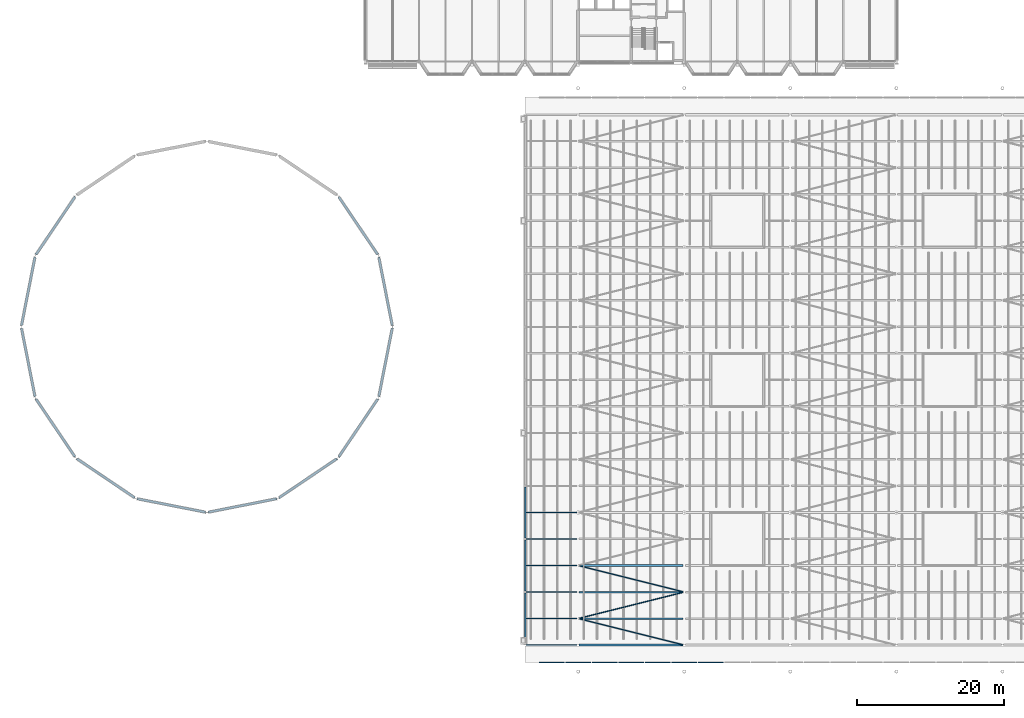
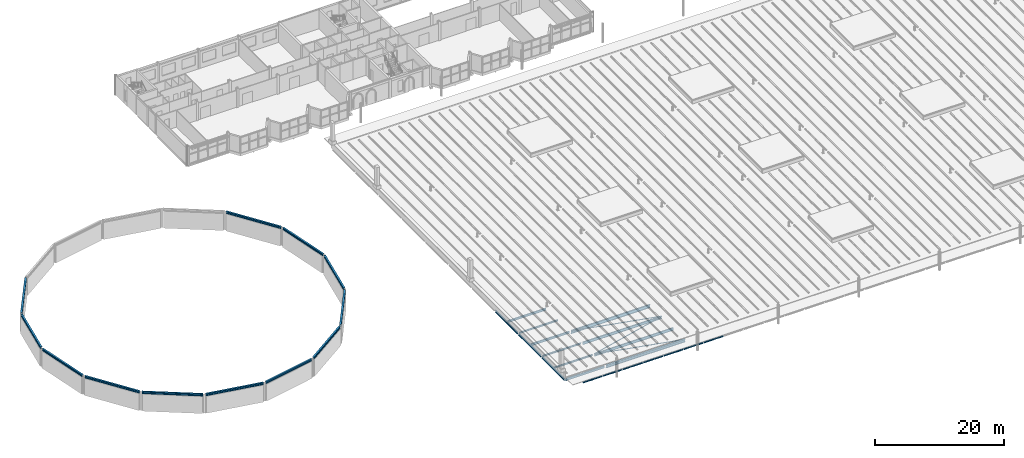
# One storey, part 12 of 120: 32 beams, 3 members.
"""IFC4 building model written with IfcOpenShell, lengths in metres."""

from ifc_helpers import new_model, si_unit, direction, frame, origin, origin_2d, place, context, subcontext, project, spatial, hollow_circle, i_section, extrude, material, material_profile, profile_set, type_object, element, save


model = new_model("IFC4")

# Units and contexts
model_context = context("Model", 3, precision=1e-05, world=origin(), true_north=direction((0.0, 1.0)))
body_context = subcontext(model_context, "Body", "Model", "MODEL_VIEW")
ifc_project = project(units=[si_unit("LENGTHUNIT", "METRE"), si_unit("AREAUNIT", "SQUARE_METRE"), si_unit("VOLUMEUNIT", "CUBIC_METRE"), si_unit("PLANEANGLEUNIT", "RADIAN"), si_unit("MASSUNIT", "GRAM", prefix="KILO")], contexts=[model_context])

# Site, building, storey
site_placement = place(None, origin())
site = spatial("IfcSite", under=ifc_project, at=site_placement, CompositionType="ELEMENT")
building_placement = place(site_placement, origin())
building = spatial("IfcBuilding", under=site, at=building_placement, Name="Kupolbacken Congress Centre", CompositionType="ELEMENT")
storey_placement = place(building_placement, frame((0.0, 0.0, 21.60009765625)))
storey = spatial("IfcBuildingStorey", under=building, at=storey_placement, Name="L06", CompositionType="ELEMENT", Elevation=21.60009765625)

# Beams
ifc_material_1 = material(Name="Steel S355", Category="steel")
ifc_material_profile_1 = material_profile(ifc_material_1, i_section(OverallWidth=0.10009765625, OverallDepth=0.199951171875, WebThickness=0.005615234375, FlangeThickness=0.008544921875, FilletRadius=0.011962890625, at=origin_2d()), Name="IPE 200")
ifc_profile_set_1 = profile_set([ifc_material_profile_1], Name="Steel S355")
beam_type_1 = type_object("IfcBeamType", Name="B01 beam IPE 200", PredefinedType="BEAM", material=ifc_profile_set_1)
beam_1_placement = place(storey_placement, frame((88.300048828125, 40.85009765625, 0.06982421875), z_axis=(1.0, 0.0, 0.0), x_axis=(0.0, 1.0, 0.0)))
element("IfcBeam", 1, at=beam_1_placement, inside=storey, type_object=beam_type_1, Name="S/edge/HE/S/01", PredefinedType="BEAM", context=body_context, shape_type="SweptSolid", body=[
    extrude(i_section(OverallWidth=0.10009765625, OverallDepth=0.199951171875, WebThickness=0.005615234375, FlangeThickness=0.008544921875, FilletRadius=0.011962890625, at=origin_2d()), origin(), (0.0, 0.0, 1.0), 3.39990234375),
])
beam_2_placement = place(storey_placement, frame((91.89990234375, 40.85009765625, 0.06982421875), z_axis=(1.0, 0.0, 0.0), x_axis=(0.0, 1.0, 0.0)))
element("IfcBeam", 2, at=beam_2_placement, inside=storey, type_object=beam_type_1, Name="S/edge/HE/S/02", PredefinedType="BEAM", context=body_context, shape_type="SweptSolid", body=[
    extrude(i_section(OverallWidth=0.10009765625, OverallDepth=0.199951171875, WebThickness=0.005615234375, FlangeThickness=0.008544921875, FilletRadius=0.011962890625, at=origin_2d()), origin(), (0.0, 0.0, 1.0), 3.400146484375),
])
for number, where, z_axis, x_axis, name in (
    (3, (95.5, 40.85009765625, 0.06982421875), (1.0, 0.0, 0.0), (0.0, 1.0, 0.0), "S/edge/HE/S/03"),
    (4, (99.10009765625, 40.85009765625, 0.06982421875), (1.0, 0.0, 0.0), (0.0, 1.0, 0.0), "S/edge/HE/S/04"),
):
    element("IfcBeam", number, at=place(storey_placement, frame(where, z_axis=z_axis, x_axis=x_axis)), inside=storey, type_object=beam_type_1, Name=name, PredefinedType="BEAM", context=body_context, shape_type="SweptSolid", body=[
        extrude(i_section(OverallWidth=0.10009765625, OverallDepth=0.199951171875, WebThickness=0.005615234375, FlangeThickness=0.008544921875, FilletRadius=0.011962890625, at=origin_2d()), origin(), (0.0, 0.0, 1.0), 3.39990234375),
    ])
beam_3_placement = place(storey_placement, frame((102.699951171875, 40.85009765625, 0.06982421875), z_axis=(1.0, 0.0, 0.0), x_axis=(0.0, 1.0, 0.0)))
element("IfcBeam", 5, at=beam_3_placement, inside=storey, type_object=beam_type_1, Name="S/edge/HE/S/05", PredefinedType="BEAM", context=body_context, shape_type="SweptSolid", body=[
    extrude(i_section(OverallWidth=0.10009765625, OverallDepth=0.199951171875, WebThickness=0.005615234375, FlangeThickness=0.008544921875, FilletRadius=0.011962890625, at=origin_2d()), origin(), (0.0, 0.0, 1.0), 3.400146484375),
])
beam_4_placement = place(storey_placement, frame((106.300048828125, 40.85009765625, 0.06982421875), z_axis=(1.0, 0.0, 0.0), x_axis=(0.0, 1.0, 0.0)))
element("IfcBeam", 6, at=beam_4_placement, inside=storey, type_object=beam_type_1, Name="S/edge/HE/S/06", PredefinedType="BEAM", context=body_context, shape_type="SweptSolid", body=[
    extrude(i_section(OverallWidth=0.10009765625, OverallDepth=0.199951171875, WebThickness=0.005615234375, FlangeThickness=0.008544921875, FilletRadius=0.011962890625, at=origin_2d()), origin(), (0.0, 0.0, 1.0), 3.39990234375),
])
beam_5_placement = place(storey_placement, frame((109.89990234375, 40.85009765625, 0.06982421875), z_axis=(1.0, 0.0, 0.0), x_axis=(0.0, 1.0, 0.0)))
element("IfcBeam", 7, at=beam_5_placement, inside=storey, type_object=beam_type_1, Name="S/edge/HE/S/07", PredefinedType="BEAM", context=body_context, shape_type="SweptSolid", body=[
    extrude(i_section(OverallWidth=0.10009765625, OverallDepth=0.199951171875, WebThickness=0.005615234375, FlangeThickness=0.008544921875, FilletRadius=0.011962890625, at=origin_2d()), origin(), (0.0, 0.0, 1.0), 3.400146484375),
])
ifc_material_2 = material(Name="Steel S355", Category="steel")
ifc_material_profile_2 = material_profile(ifc_material_2, i_section(OverallWidth=0.14990234375, OverallDepth=0.300048828125, WebThickness=0.007080078125, FlangeThickness=0.0107421875, FilletRadius=0.014892578125, at=origin_2d()), Name="IPE 300")
ifc_profile_set_2 = profile_set([ifc_material_profile_2], Name="Steel S355")
beam_type_2 = type_object("IfcBeamType", Name="B04 beam IPE 300", PredefinedType="BEAM", material=ifc_profile_set_2)
for number, where, z_axis, x_axis, name in (
    (8, (86.5400390625, 46.800048828125, -0.150146484375), (1.0, 0.0, 0.0), (0.0, 1.0, 0.0), "HR/P01-00"),
    (9, (86.5400390625, 50.39990234375, -0.150146484375), (1.0, 0.0, 0.0), (0.0, 1.0, 0.0), "HR/P02-00"),
    (10, (86.5400390625, 57.60009765625, -0.150146484375), (1.0, 0.0, 0.0), (0.0, 1.0, 0.0), "HR/P04-00"),
):
    element("IfcBeam", number, at=place(storey_placement, frame(where, z_axis=z_axis, x_axis=x_axis)), inside=storey, type_object=beam_type_2, Name=name, PredefinedType="BEAM", context=body_context, shape_type="SweptSolid", body=[
        extrude(i_section(OverallWidth=0.14990234375, OverallDepth=0.300048828125, WebThickness=0.007080078125, FlangeThickness=0.0107421875, FilletRadius=0.014892578125, at=origin_2d()), origin(), (0.0, 0.0, 1.0), 6.9150390625),
    ])
ifc_material_3 = material(Name="Steel S355", Category="steel")
ifc_material_profile_3 = material_profile(ifc_material_3, i_section(OverallWidth=0.179931640625, OverallDepth=0.39990234375, WebThickness=0.008544921875, FlangeThickness=0.013427734375, FilletRadius=0.02099609375, at=origin_2d()), Name="IPE 400")
ifc_profile_set_3 = profile_set([ifc_material_profile_3], Name="Steel S355")
beam_type_3 = type_object("IfcBeamType", Name="B07 beam IPE 400", PredefinedType="BEAM", material=ifc_profile_set_3)
for number, where, z_axis, x_axis, name in (
    (11, (86.39990234375, 43.330078125, -0.2001953125), (0.0, 1.0, 0.0), (-1.0, 0.0, 0.0), "HR/GW01"),
    (12, (86.39990234375, 50.530029296875, -0.2001953125), (0.0, 1.0, 0.0), (-1.0, 0.0, 0.0), "HR/GW02"),
    (13, (86.39990234375, 57.72998046875, -0.2001953125), (0.0, 1.0, 0.0), (-1.0, 0.0, 0.0), "HR/GW03"),
):
    element("IfcBeam", number, at=place(storey_placement, frame(where, z_axis=z_axis, x_axis=x_axis)), inside=storey, type_object=beam_type_3, Name=name, PredefinedType="BEAM", context=body_context, shape_type="SweptSolid", body=[
        extrude(i_section(OverallWidth=0.179931640625, OverallDepth=0.39990234375, WebThickness=0.008544921875, FlangeThickness=0.013427734375, FilletRadius=0.02099609375, at=origin_2d()), origin(), (0.0, 0.0, 1.0), 6.93994140625),
    ])
for number, where, z_axis, x_axis, name in (
    (14, (86.5400390625, 43.199951171875, -0.2001953125), (1.0, 0.0, 0.0), (0.0, 1.0, 0.0), "HR/E00-00"),
    (15, (86.5400390625, 54.0, -0.2001953125), (1.0, 0.0, 0.0), (0.0, 1.0, 0.0), "HR/X03-00"),
    (16, (86.5400390625, 61.199951171875, -0.2001953125), (1.0, 0.0, 0.0), (0.0, 1.0, 0.0), "HR/X05-00"),
):
    element("IfcBeam", number, at=place(storey_placement, frame(where, z_axis=z_axis, x_axis=x_axis)), inside=storey, type_object=beam_type_3, Name=name, PredefinedType="BEAM", context=body_context, shape_type="SweptSolid", body=[
        extrude(i_section(OverallWidth=0.179931640625, OverallDepth=0.39990234375, WebThickness=0.008544921875, FlangeThickness=0.013427734375, FilletRadius=0.02099609375, at=origin_2d()), origin(), (0.0, 0.0, 1.0), 6.9150390625),
    ])
ifc_material_4 = material(Name="Steel S355", Category="steel")
ifc_material_profile_4 = material_profile(ifc_material_4, i_section(OverallWidth=0.199951171875, OverallDepth=0.5, WebThickness=0.01025390625, FlangeThickness=0.01611328125, FilletRadius=0.02099609375, at=origin_2d()), Name="IPE 500")
ifc_profile_set_4 = profile_set([ifc_material_profile_4], Name="Steel S355")
beam_type_4 = type_object("IfcBeamType", Name="B09 beam IPE 500", PredefinedType="BEAM", material=ifc_profile_set_4)
for number, where, z_axis, x_axis, name in (
    (17, (93.7451171875, 46.800048828125, -0.25), (1.0, 0.0, 0.0), (0.0, 1.0, 0.0), "HR/P01-01"),
    (18, (93.7451171875, 50.39990234375, -0.25), (1.0, 0.0, 0.0), (0.0, 1.0, 0.0), "HR/P02-01"),
):
    element("IfcBeam", number, at=place(storey_placement, frame(where, z_axis=z_axis, x_axis=x_axis)), inside=storey, type_object=beam_type_4, Name=name, PredefinedType="BEAM", context=body_context, shape_type="SweptSolid", body=[
        extrude(i_section(OverallWidth=0.199951171875, OverallDepth=0.5, WebThickness=0.01025390625, FlangeThickness=0.01611328125, FilletRadius=0.02099609375, at=origin_2d()), origin(), (0.0, 0.0, 1.0), 14.10986328125),
    ])
ifc_material_5 = material(Name="Steel S355", Category="steel")
ifc_material_profile_5 = material_profile(ifc_material_5, i_section(OverallWidth=0.219970703125, OverallDepth=0.60009765625, WebThickness=0.011962890625, FlangeThickness=0.01904296875, FilletRadius=0.02392578125, at=origin_2d()), Name="IPE 600")
ifc_profile_set_5 = profile_set([ifc_material_profile_5], Name="Steel S355")
beam_type_5 = type_object("IfcBeamType", Name="B11 beam IPE 600", PredefinedType="BEAM", material=ifc_profile_set_5)
beam_6_placement = place(storey_placement, frame((93.7451171875, 54.0, -0.300048828125), z_axis=(1.0, 0.0, 0.0), x_axis=(0.0, 1.0, 0.0)))
element("IfcBeam", 19, at=beam_6_placement, inside=storey, type_object=beam_type_5, Name="HR/X03-01", PredefinedType="BEAM", context=body_context, shape_type="SweptSolid", body=[
    extrude(i_section(OverallWidth=0.219970703125, OverallDepth=0.60009765625, WebThickness=0.011962890625, FlangeThickness=0.01904296875, FilletRadius=0.02392578125, at=origin_2d()), origin(), (0.0, 0.0, 1.0), 14.10986328125),
])
ifc_material_6 = material(Name="Steel S355", Category="steel")
ifc_material_profile_6 = material_profile(ifc_material_6, i_section(OverallWidth=0.300048828125, OverallDepth=0.389892578125, WebThickness=0.010986328125, FlangeThickness=0.01904296875, FilletRadius=0.027099609375, at=origin_2d()), Name="HEA 400")
ifc_profile_set_6 = profile_set([ifc_material_profile_6], Name="Steel S355")
beam_type_6 = type_object("IfcBeamType", Name="B14 beam HEA 400", PredefinedType="BEAM", material=ifc_profile_set_6)
for number, where, z_axis, x_axis, name in (
    (20, (20.008544921875, 76.589111328125, 3.40478515625), (0.559392050563, -0.828903211338, 0.0), (0.828903211338, 0.559392050563, 0.0), "DR/G252/01"),
    (21, (25.560546875, 68.49169921875, 3.40478515625), (0.828903211338, -0.559392050563, 0.0), (0.559392050563, 0.828903211338, 0.0), "DR/G252/02"),
):
    element("IfcBeam", number, at=place(storey_placement, frame(where, z_axis=z_axis, x_axis=x_axis)), inside=storey, type_object=beam_type_6, Name=name, PredefinedType="BEAM", context=body_context, shape_type="SweptSolid", body=[
        extrude(i_section(OverallWidth=0.300048828125, OverallDepth=0.389892578125, WebThickness=0.010986328125, FlangeThickness=0.01904296875, FilletRadius=0.027099609375, at=origin_2d()), origin(), (0.0, 0.0, 1.0), 9.444580078125),
    ])
for number, where, z_axis, x_axis, name in (
    (22, (33.740234375, 63.0625, 3.40478515625), (0.981165641699, -0.193168277805, 0.0), (0.193168277805, 0.981165641699, 0.0), "DR/G252/03"),
    (23, (43.39013671875, 61.237548828125, 3.40478515625), (0.981165641699, 0.193168277805, 0.0), (-0.193168277805, 0.981165641699, 0.0), "DR/G252/04"),
):
    element("IfcBeam", number, at=place(storey_placement, frame(where, z_axis=z_axis, x_axis=x_axis)), inside=storey, type_object=beam_type_6, Name=name, PredefinedType="BEAM", context=body_context, shape_type="SweptSolid", body=[
        extrude(i_section(OverallWidth=0.300048828125, OverallDepth=0.389892578125, WebThickness=0.010986328125, FlangeThickness=0.01904296875, FilletRadius=0.027099609375, at=origin_2d()), origin(), (0.0, 0.0, 1.0), 9.447509765625),
    ])
for number, where, z_axis, x_axis, name in (
    (24, (53.010986328125, 63.20849609375, 3.40478515625), (0.828895122138, 0.559404036896, 0.0), (-0.559404036896, 0.828895122138, 0.0), "DR/G252/05"),
    (25, (61.1083984375, 68.760498046875, 3.40478515625), (0.559374289208, 0.828915197456, 0.0), (-0.828915197456, 0.559374289208, 0.0), "DR/G252/06"),
):
    element("IfcBeam", number, at=place(storey_placement, frame(where, z_axis=z_axis, x_axis=x_axis)), inside=storey, type_object=beam_type_6, Name=name, PredefinedType="BEAM", context=body_context, shape_type="SweptSolid", body=[
        extrude(i_section(OverallWidth=0.300048828125, OverallDepth=0.389892578125, WebThickness=0.010986328125, FlangeThickness=0.01904296875, FilletRadius=0.027099609375, at=origin_2d()), origin(), (0.0, 0.0, 1.0), 9.4443359375),
    ])
beam_7_placement = place(storey_placement, frame((66.53759765625, 76.9404296875, 3.40478515625), z_axis=(0.193173175746, 0.981164677397, 0.0), x_axis=(-0.981164677397, 0.193173175746, 0.0)))
element("IfcBeam", 26, at=beam_7_placement, inside=storey, type_object=beam_type_6, Name="DR/G252/07", PredefinedType="BEAM", context=body_context, shape_type="SweptSolid", body=[
    extrude(i_section(OverallWidth=0.300048828125, OverallDepth=0.389892578125, WebThickness=0.010986328125, FlangeThickness=0.01904296875, FilletRadius=0.027099609375, at=origin_2d()), origin(), (0.0, 0.0, 1.0), 9.447265625),
])
beam_8_placement = place(storey_placement, frame((68.362548828125, 86.590087890625, 3.40478515625), z_axis=(-0.193168277805, 0.981165641699, 0.0), x_axis=(-0.981165641699, -0.193168277805, 0.0)))
element("IfcBeam", 27, at=beam_8_placement, inside=storey, type_object=beam_type_6, Name="DR/G252/08", PredefinedType="BEAM", context=body_context, shape_type="SweptSolid", body=[
    extrude(i_section(OverallWidth=0.300048828125, OverallDepth=0.389892578125, WebThickness=0.010986328125, FlangeThickness=0.01904296875, FilletRadius=0.027099609375, at=origin_2d()), origin(), (0.0, 0.0, 1.0), 9.447509765625),
])
beam_9_placement = place(storey_placement, frame((66.391357421875, 96.2109375, 3.40478515625), z_axis=(-0.559386275507, 0.828907108652, 0.0), x_axis=(-0.828907108652, -0.559386275507, 0.0)))
element("IfcBeam", 28, at=beam_9_placement, inside=storey, type_object=beam_type_6, Name="DR/G252/09", PredefinedType="BEAM", context=body_context, shape_type="SweptSolid", body=[
    extrude(i_section(OverallWidth=0.300048828125, OverallDepth=0.389892578125, WebThickness=0.010986328125, FlangeThickness=0.01904296875, FilletRadius=0.027099609375, at=origin_2d()), origin(), (0.0, 0.0, 1.0), 9.444091796875),
])
beam_10_placement = place(storey_placement, frame((25.291748046875, 104.039306640625, 3.40478515625), z_axis=(-0.559404036896, -0.828895122138, 0.0), x_axis=(0.828895122138, -0.559404036896, 0.0)))
element("IfcBeam", 29, at=beam_10_placement, inside=storey, type_object=beam_type_6, Name="DR/G252/14", PredefinedType="BEAM", context=body_context, shape_type="SweptSolid", body=[
    extrude(i_section(OverallWidth=0.300048828125, OverallDepth=0.389892578125, WebThickness=0.010986328125, FlangeThickness=0.01904296875, FilletRadius=0.027099609375, at=origin_2d()), origin(), (0.0, 0.0, 1.0), 9.4443359375),
])
beam_11_placement = place(storey_placement, frame((19.862548828125, 95.859619140625, 3.40478515625), z_axis=(-0.193193155264, -0.981160743588, 0.0), x_axis=(0.981160743588, -0.193193155264, 0.0)))
element("IfcBeam", 30, at=beam_11_placement, inside=storey, type_object=beam_type_6, Name="DR/G252/15", PredefinedType="BEAM", context=body_context, shape_type="SweptSolid", body=[
    extrude(i_section(OverallWidth=0.300048828125, OverallDepth=0.389892578125, WebThickness=0.010986328125, FlangeThickness=0.01904296875, FilletRadius=0.027099609375, at=origin_2d()), origin(), (0.0, 0.0, 1.0), 9.447509765625),
])
beam_12_placement = place(storey_placement, frame((18.037353515625, 86.209716796875, 3.40478515625), z_axis=(0.193198053787, -0.981159779044, 0.0), x_axis=(0.981159779044, 0.193198053787, 0.0)))
element("IfcBeam", 31, at=beam_12_placement, inside=storey, type_object=beam_type_6, Name="DR/G252/16", PredefinedType="BEAM", context=body_context, shape_type="SweptSolid", body=[
    extrude(i_section(OverallWidth=0.300048828125, OverallDepth=0.389892578125, WebThickness=0.010986328125, FlangeThickness=0.01904296875, FilletRadius=0.027099609375, at=origin_2d()), origin(), (0.0, 0.0, 1.0), 9.447265625),
])
ifc_material_7 = material(Name="Steel S355", Category="steel")
ifc_material_profile_7 = material_profile(ifc_material_7, i_section(OverallWidth=0.300048828125, OverallDepth=0.5, WebThickness=0.014404296875, FlangeThickness=0.028076171875, FilletRadius=0.027099609375, at=origin_2d()), Name="HEB 500")
ifc_profile_set_7 = profile_set([ifc_material_profile_7], Name="Steel S355")
beam_type_7 = type_object("IfcBeamType", Name="B20 beam HEB 500", PredefinedType="BEAM", material=ifc_profile_set_7)
beam_13_placement = place(storey_placement, frame((93.7451171875, 43.199951171875, -0.25), z_axis=(1.0, 0.0, 0.0), x_axis=(0.0, 1.0, 0.0)))
element("IfcBeam", 32, at=beam_13_placement, inside=storey, type_object=beam_type_7, Name="HR/E00-01", PredefinedType="BEAM", context=body_context, shape_type="SweptSolid", body=[
    extrude(i_section(OverallWidth=0.300048828125, OverallDepth=0.5, WebThickness=0.014404296875, FlangeThickness=0.028076171875, FilletRadius=0.027099609375, at=origin_2d()), origin(), (0.0, 0.0, 1.0), 14.10986328125),
])

# Members
ifc_material_8 = material(Name="Steel S355", Category="steel")
ifc_material_profile_8 = material_profile(ifc_material_8, hollow_circle(Radius=0.084228515625, WallThickness=0.008056640625, at=origin_2d()), Name="CHS 168.3 x 8")
ifc_profile_set_8 = profile_set([ifc_material_profile_8], Name="Steel S355")
member_type = type_object("IfcMemberType", Name="M21 brace CHS 168.3 x 8", PredefinedType="BRACE", material=ifc_profile_set_8)
for number, where, z_axis, x_axis, name in (
    (33, (107.859375, 43.235107421875, -0.084228515625), (-0.970140526498, 0.24254351949, 0.0), (-0.24254351949, -0.970140526498, 0.0), "HR/RB/01-00"),
    (34, (93.74072265625, 46.835205078125, -0.084228515625), (0.970144473737, 0.242527730535, 0.0), (-0.242527730535, 0.970144473737, 0.0), "HR/RB/01-01"),
    (35, (107.859375, 50.43505859375, -0.084228515625), (-0.970140526498, 0.24254351949, 0.0), (-0.24254351949, -0.970140526498, 0.0), "HR/RB/01-02"),
):
    element("IfcMember", number, at=place(storey_placement, frame(where, z_axis=z_axis, x_axis=x_axis)), inside=storey, type_object=member_type, Name=name, PredefinedType="BRACE", context=body_context, shape_type="SweptSolid", body=[
        extrude(hollow_circle(Radius=0.084228515625, WallThickness=0.008056640625, at=origin_2d()), origin(), (0.0, 0.0, 1.0), 14.55322265625),
    ])

save(model, "model.ifc")
